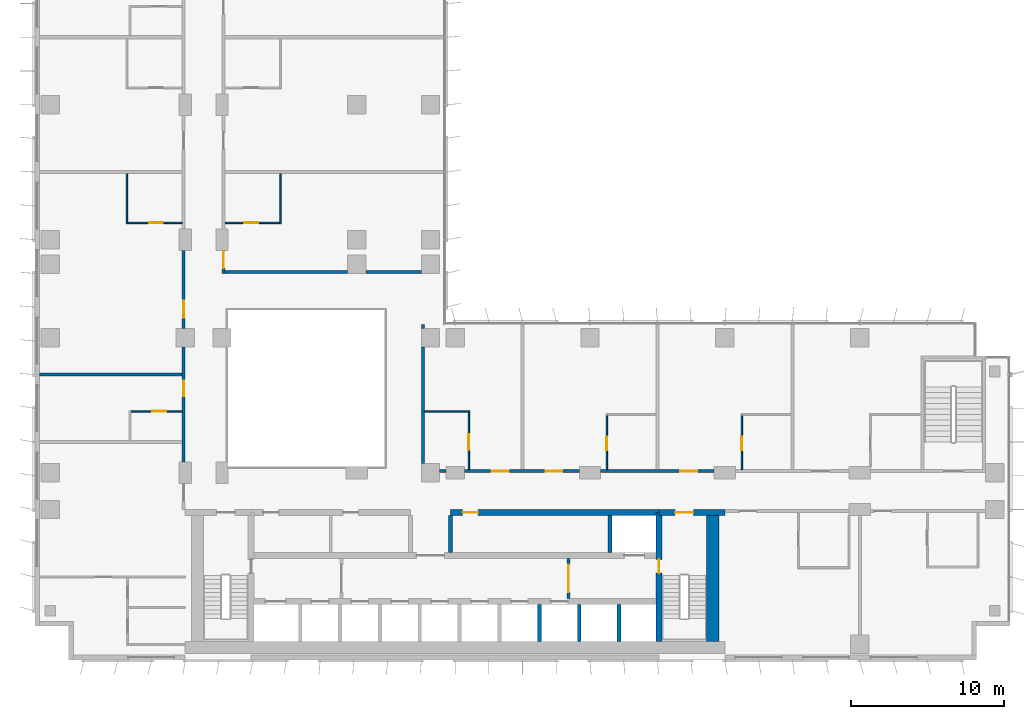
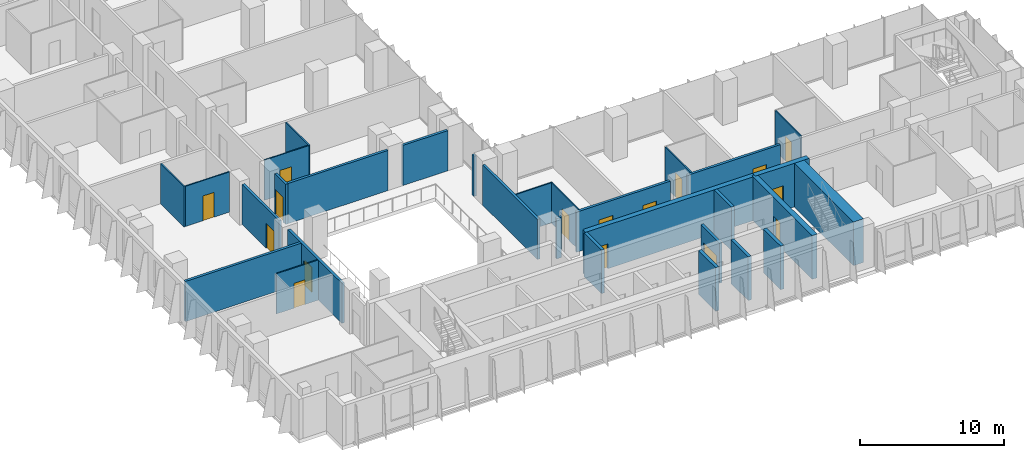
# One storey, part 14 of 22: 30 walls, 16 doors, 16 openings.
"""IFC4 building model written with IfcOpenShell, lengths in metres."""

from ifc_helpers import new_model, si_unit, direction, frame, frame_2d, origin, place, context, subcontext, project, spatial, rectangle, extrude, material, layer, layer_set, type_object, element, fill, save


model = new_model("IFC4")

# Units and contexts
model_context = context("Model", 3, precision=1e-05, world=origin(), true_north=direction((0.0, 1.0)))
body_context = subcontext(model_context, "Body", "Model", "MODEL_VIEW")
ifc_project = project(units=[si_unit("LENGTHUNIT", "METRE"), si_unit("AREAUNIT", "SQUARE_METRE"), si_unit("VOLUMEUNIT", "CUBIC_METRE"), si_unit("PLANEANGLEUNIT", "RADIAN"), si_unit("MASSUNIT", "GRAM", prefix="KILO")], contexts=[model_context])

# Site, building, storey
site_placement = place(None, origin())
site = spatial("IfcSite", under=ifc_project, at=site_placement, CompositionType="ELEMENT")
building_placement = place(site_placement, origin())
building = spatial("IfcBuilding", under=site, at=building_placement, Name="Kemantara Hotel Tower", CompositionType="ELEMENT")
storey_placement = place(building_placement, frame((0.0, 0.0, 87.10009765625)))
storey = spatial("IfcBuildingStorey", under=building, at=storey_placement, Name="L20", CompositionType="ELEMENT", Elevation=87.10009765625)

# Walls
ifc_material_1 = material(Name="Concrete fc 70 MPa", Category="concrete")
ifc_layer_1 = layer(ifc_material_1, 0.25)
ifc_layer_set_1 = layer_set([ifc_layer_1], Name="Concrete fc 70 MPa")
wall_type_1 = type_object("IfcWallType", Name="CORE WALL 250 FC70", PredefinedType="SHEAR", material=ifc_layer_set_1)
for number, where, z_axis, x_axis, name in (
    (1, (32.89990234375, 1.199951171875, 0.0), (0.0, 0.0, 1.0), (0.0, 1.0, 0.0), "CORE WALL CW-DS32.9"),
    (2, (35.5, 1.199951171875, 0.0), (0.0, 0.0, 1.0), (0.0, 1.0, 0.0), "CORE WALL CW-DS35.5"),
    (3, (38.10009765625, 1.199951171875, 0.0), (0.0, 0.0, 1.0), (0.0, 1.0, 0.0), "CORE WALL CW-DS38.1"),
):
    element("IfcWall", number, at=place(storey_placement, frame(where, z_axis=z_axis, x_axis=x_axis)), inside=storey, type_object=wall_type_1, Name=name, PredefinedType="SHEAR", context=body_context, shape_type="SweptSolid", body=[
        extrude(rectangle(XDim=2.400146484375, YDim=0.25, at=frame_2d((1.2001953125, 0.0))), origin(), (0.0, 0.0, 1.0), 3.699951171875),
    ])
for number, where, z_axis, x_axis, name in (
    (4, (27.10009765625, 7.0, 0.0), (0.0, 0.0, 1.0), (0.0, 1.0, 0.0), "CORE WALL CW-DN27.1"),
    (5, (37.5, 7.0, 0.0), (0.0, 0.0, 1.0), (0.0, 1.0, 0.0), "CORE WALL CW-DN37.5"),
):
    element("IfcWall", number, at=place(storey_placement, frame(where, z_axis=z_axis, x_axis=x_axis)), inside=storey, type_object=wall_type_1, Name=name, PredefinedType="SHEAR", context=body_context, shape_type="SweptSolid", body=[
        extrude(rectangle(XDim=2.39990234375, YDim=0.25, at=frame_2d((1.199951171875, 0.0))), origin(), (0.0, 0.0, 1.0), 3.699951171875),
    ])

# Wall, opening, door
ifc_layer_2 = layer(ifc_material_1, 0.39990234375)
ifc_layer_set_2 = layer_set([ifc_layer_2], Name="Concrete fc 70 MPa")
wall_type_2 = type_object("IfcWallType", Name="CORE WALL 400 FC70", PredefinedType="SHEAR", material=ifc_layer_set_2)
wall_1_placement = place(storey_placement, frame((40.699951171875, 9.60009765625, 0.0), z_axis=(0.0, 0.0, 1.0), x_axis=(1.0, 0.0, 0.0)))
wall_1 = element("IfcWall", 6, at=wall_1_placement, inside=storey, type_object=wall_type_2, Name="CORE WALL CW-N2", PredefinedType="SHEAR", context=body_context, shape_type="SweptSolid", body=[
    extrude(rectangle(XDim=4.300048828125, YDim=0.39990234375, at=frame_2d((2.14990234375, 0.0))), origin(), (0.0, 0.0, 1.0), 3.699951171875),
])
opening_1_placement = place(wall_1_placement, frame((1.050048828125, 0.0, 0.0)))
opening_1 = element("IfcOpeningElement", 7, at=opening_1_placement, cuts=wall_1, Name="Opening C15-ST2-C", PredefinedType="OPENING", context=body_context, shape_type="SweptSolid", body=[
    extrude(rectangle(XDim=1.199951171875, YDim=2.10009765625, at=frame_2d((0.60009765625, 1.050048828125))), frame((0.0, 0.2099609375, 0.0), z_axis=(0.0, -1.0, 0.0), x_axis=(1.0, 0.0, 0.0)), (0.0, 0.0, 1.0), 0.419921875),
])
ifc_material_2 = material(Name="Steel fire door", Category="steel")
door_type_1 = type_object("IfcDoorType", Name="Fire door FD90 1200 x 2100", OperationType="NOTDEFINED", PredefinedType="DOOR", material=ifc_material_2)
door_1_placement = place(opening_1_placement, frame((1.199951171875, 0.0, 0.0), z_axis=(0.0, 0.0, 1.0), x_axis=(-1.0, 0.0, 0.0)))
door_1 = element("IfcDoor", 8, at=door_1_placement, inside=storey, type_object=door_type_1, Name="Stair ST2 door to corridor", OperationType="SINGLE_SWING_RIGHT", OverallHeight=2.10009765625, OverallWidth=1.199951171875, PredefinedType="DOOR", context=body_context, shape_type="SweptSolid", body=[
    extrude(rectangle(XDim=1.199951171875, YDim=2.10009765625, at=frame_2d((0.60009765625, 1.050048828125))), frame((0.0, 0.02490234375, 0.0), z_axis=(0.0, -1.0, 0.0), x_axis=(1.0, 0.0, 0.0)), (0.0, 0.0, 1.0), 0.050048828125),
])
fill(opening_1, door_1)

wall_2_placement = place(storey_placement, frame((27.10009765625, 9.60009765625, 0.0), z_axis=(0.0, 0.0, 1.0), x_axis=(1.0, 0.0, 0.0)))
wall_2 = element("IfcWall", 9, at=wall_2_placement, inside=storey, type_object=wall_type_2, Name="CORE WALL CW-NN2", PredefinedType="SHEAR", context=body_context, shape_type="SweptSolid", body=[
    extrude(rectangle(XDim=13.599853515625, YDim=0.39990234375, at=frame_2d((6.7998046875, 0.0))), origin(), (0.0, 0.0, 1.0), 3.699951171875),
])
opening_2_placement = place(wall_2_placement, frame((0.800048828125, 0.0, 0.0)))
opening_2 = element("IfcOpeningElement", 10, at=opening_2_placement, cuts=wall_2, Name="Opening C15-R-NE1", PredefinedType="OPENING", context=body_context, shape_type="SweptSolid", body=[
    extrude(rectangle(XDim=1.0, YDim=2.10009765625, at=frame_2d((0.5, 1.050048828125))), frame((0.0, 0.2099609375, 0.0), z_axis=(0.0, -1.0, 0.0), x_axis=(1.0, 0.0, 0.0)), (0.0, 0.0, 1.0), 0.419921875),
])
door_type_2 = type_object("IfcDoorType", Name="Fire door FD30S 1000 x 2100", OperationType="NOTDEFINED", PredefinedType="DOOR", material=ifc_material_2)
door_2_placement = place(opening_2_placement, frame((1.0, 0.0, 0.0), z_axis=(0.0, 0.0, 1.0), x_axis=(-1.0, 0.0, 0.0)))
door_2 = element("IfcDoor", 11, at=door_2_placement, inside=storey, type_object=door_type_2, Name="Luggage Store door", OperationType="SINGLE_SWING_RIGHT", OverallHeight=2.10009765625, OverallWidth=1.0, PredefinedType="DOOR", context=body_context, shape_type="SweptSolid", body=[
    extrude(rectangle(XDim=1.0, YDim=2.10009765625, at=frame_2d((0.5, 1.050048828125))), frame((0.0, 0.02490234375, 0.0), z_axis=(0.0, -1.0, 0.0), x_axis=(1.0, 0.0, 0.0)), (0.0, 0.0, 1.0), 0.050048828125),
])
fill(opening_2, door_2)

wall_3_placement = place(storey_placement, frame((40.699951171875, 1.199951171875, 0.0), z_axis=(0.0, 0.0, 1.0), x_axis=(0.0, 1.0, 0.0)))
wall_3 = element("IfcWall", 12, at=wall_3_placement, inside=storey, type_object=wall_type_2, Name="CORE WALL CW-ST2W", PredefinedType="SHEAR", context=body_context, shape_type="SweptSolid", body=[
    extrude(rectangle(XDim=8.400146484375, YDim=0.39990234375, at=frame_2d((4.2001953125, 0.0))), origin(), (0.0, 0.0, 1.0), 3.699951171875),
])
opening_3_placement = place(wall_3_placement, frame((4.449951171875, 0.0, 0.0)))
opening_3 = element("IfcOpeningElement", 13, at=opening_3_placement, cuts=wall_3, Name="Opening C15-ST2-F", PredefinedType="OPENING", context=body_context, shape_type="SweptSolid", body=[
    extrude(rectangle(XDim=0.89990234375, YDim=2.10009765625, at=frame_2d((0.449951171875, 1.050048828125))), frame((0.0, 0.2099609375, 0.0), z_axis=(0.0, -1.0, 0.0), x_axis=(1.0, 0.0, 0.0)), (0.0, 0.0, 1.0), 0.419921875),
])
door_type_3 = type_object("IfcDoorType", Name="Fire door FD90 900 x 2100", OperationType="NOTDEFINED", PredefinedType="DOOR", material=ifc_material_2)
door_3_placement = place(opening_3_placement, frame((0.89990234375, 0.0, 0.0), z_axis=(0.0, 0.0, 1.0), x_axis=(-1.0, 0.0, 0.0)))
door_3 = element("IfcDoor", 14, at=door_3_placement, inside=storey, type_object=door_type_3, Name="Stair ST2 door to firefighting lobby", OperationType="SINGLE_SWING_LEFT", OverallHeight=2.10009765625, OverallWidth=0.89990234375, PredefinedType="DOOR", context=body_context, shape_type="SweptSolid", body=[
    extrude(rectangle(XDim=0.89990234375, YDim=2.10009765625, at=frame_2d((0.449951171875, 1.050048828125))), frame((0.0, 0.02490234375, 0.0), z_axis=(0.0, -1.0, 0.0), x_axis=(1.0, 0.0, 0.0)), (0.0, 0.0, 1.0), 0.050048828125),
])
fill(opening_3, door_3)

# Walls
ifc_layer_3 = layer(ifc_material_1, 0.800048828125)
ifc_layer_set_3 = layer_set([ifc_layer_3], Name="Concrete fc 70 MPa")
wall_type_3 = type_object("IfcWallType", Name="CORE WALL 800 FC70", PredefinedType="SHEAR", material=ifc_layer_set_3)
wall_4_placement = place(storey_placement, frame((44.199951171875, 1.199951171875, 0.0), z_axis=(0.0, 0.0, 1.0), x_axis=(0.0, 1.0, 0.0)))
element("IfcWall", 15, at=wall_4_placement, inside=storey, type_object=wall_type_3, Name="CORE WALL CW-E", PredefinedType="SHEAR", context=body_context, shape_type="SweptSolid", body=[
    extrude(rectangle(XDim=8.60009765625, YDim=0.800048828125, at=frame_2d((4.300048828125, 0.0))), origin(), (0.0, 0.0, 1.0), 3.699951171875),
])
ifc_material_3 = material(Name="Gypsum board partition, steel studs and mineral wool, 200 mm", Category="steel")
ifc_layer_4 = layer(ifc_material_3, 0.199951171875)
ifc_layer_set_4 = layer_set([ifc_layer_4], Name="Gypsum board partition, steel studs and mineral wool, 200 mm")
wall_type_4 = type_object("IfcWallType", Name="CORRIDOR WALL 200", PredefinedType="PARTITIONING", material=ifc_layer_set_4)
wall_5_placement = place(storey_placement, frame((26.400146484375, 12.300048828125, 0.0), z_axis=(0.0, 0.0, 1.0), x_axis=(1.0, 0.0, 0.0)))
element("IfcWall", 16, at=wall_5_placement, inside=storey, type_object=wall_type_4, Name="CORRIDOR WALL 200 004", PredefinedType="PARTITIONING", context=body_context, shape_type="SweptSolid", body=[
    extrude(rectangle(XDim=0.399658203125, YDim=0.199951171875, at=frame_2d((0.19970703125, 0.0))), origin(), (0.0, 0.0, 1.0), 3.39990234375),
])

# Wall, openings, doors
wall_6_placement = place(storey_placement, frame((28.0, 12.300048828125, 0.0), z_axis=(0.0, 0.0, 1.0), x_axis=(1.0, 0.0, 0.0)))
wall_6 = element("IfcWall", 17, at=wall_6_placement, inside=storey, type_object=wall_type_4, Name="CORRIDOR WALL 200 005", PredefinedType="PARTITIONING", context=body_context, shape_type="SweptSolid", body=[
    extrude(rectangle(XDim=7.5, YDim=0.199951171875, at=frame_2d((3.75, 0.0))), origin(), (0.0, 0.0, 1.0), 3.39990234375),
])
opening_4_placement = place(wall_6_placement, frame((1.7998046875, 0.0, 0.0)))
opening_4 = element("IfcOpeningElement", 18, at=opening_4_placement, cuts=wall_6, Name="Opening F07-005", PredefinedType="OPENING", context=body_context, shape_type="SweptSolid", body=[
    extrude(rectangle(XDim=1.10009765625, YDim=2.10009765625, at=frame_2d((0.550048828125, 1.050048828125))), frame((0.0, 0.10986328125, 0.0), z_axis=(0.0, -1.0, 0.0), x_axis=(1.0, 0.0, 0.0)), (0.0, 0.0, 1.0), 0.219970703125),
])
opening_5_placement = place(wall_6_placement, frame((5.2998046875, 0.0, 0.0)))
opening_5 = element("IfcOpeningElement", 19, at=opening_5_placement, cuts=wall_6, Name="Opening F07-007", PredefinedType="OPENING", context=body_context, shape_type="SweptSolid", body=[
    extrude(rectangle(XDim=1.10009765625, YDim=2.10009765625, at=frame_2d((0.550048828125, 1.050048828125))), frame((0.0, 0.10986328125, 0.0), z_axis=(0.0, -1.0, 0.0), x_axis=(1.0, 0.0, 0.0)), (0.0, 0.0, 1.0), 0.219970703125),
])
ifc_material_4 = material(Name="Hardwood veneer door leaf with steel frame", Category="steel")
door_type_4 = type_object("IfcDoorType", Name="GUEST ROOM DOOR 1100 X 2100 FD30S", OperationType="NOTDEFINED", PredefinedType="DOOR", material=ifc_material_4)
door_4_placement = place(opening_4_placement, origin())
door_4 = element("IfcDoor", 20, at=door_4_placement, inside=storey, type_object=door_type_4, Name="GUEST ROOM DOOR F07-005", OperationType="SINGLE_SWING_RIGHT", OverallHeight=2.10009765625, OverallWidth=1.10009765625, PredefinedType="DOOR", context=body_context, shape_type="SweptSolid", body=[
    extrude(rectangle(XDim=1.10009765625, YDim=2.10009765625, at=frame_2d((0.550048828125, 1.050048828125))), frame((0.0, 0.02490234375, 0.0), z_axis=(0.0, -1.0, 0.0), x_axis=(1.0, 0.0, 0.0)), (0.0, 0.0, 1.0), 0.050048828125),
])
fill(opening_4, door_4)
door_type_5 = type_object("IfcDoorType", Name="SUITE ENTRANCE DOOR 1100 X 2100 FD30S", OperationType="NOTDEFINED", PredefinedType="DOOR", material=ifc_material_4)
door_5_placement = place(opening_5_placement, origin())
door_5 = element("IfcDoor", 21, at=door_5_placement, inside=storey, type_object=door_type_5, Name="SUITE ENTRANCE DOOR F07-007", OperationType="SINGLE_SWING_LEFT", OverallHeight=2.10009765625, OverallWidth=1.10009765625, PredefinedType="DOOR", context=body_context, shape_type="SweptSolid", body=[
    extrude(rectangle(XDim=1.10009765625, YDim=2.10009765625, at=frame_2d((0.550048828125, 1.050048828125))), frame((0.0, 0.02490234375, 0.0), z_axis=(0.0, -1.0, 0.0), x_axis=(1.0, 0.0, 0.0)), (0.0, 0.0, 1.0), 0.050048828125),
])
fill(opening_5, door_5)

# Wall, opening, door
wall_7_placement = place(storey_placement, frame((36.900146484375, 12.300048828125, 0.0), z_axis=(0.0, 0.0, 1.0), x_axis=(1.0, 0.0, 0.0)))
wall_7 = element("IfcWall", 22, at=wall_7_placement, inside=storey, type_object=wall_type_4, Name="CORRIDOR WALL 200 006", PredefinedType="PARTITIONING", context=body_context, shape_type="SweptSolid", body=[
    extrude(rectangle(XDim=7.399658203125, YDim=0.199951171875, at=frame_2d((3.69970703125, 0.0))), origin(), (0.0, 0.0, 1.0), 3.39990234375),
])
opening_6_placement = place(wall_7_placement, frame((5.199951171875, 0.0, 0.0)))
opening_6 = element("IfcOpeningElement", 23, at=opening_6_placement, cuts=wall_7, Name="Opening F07-009", PredefinedType="OPENING", context=body_context, shape_type="SweptSolid", body=[
    extrude(rectangle(XDim=1.10009765625, YDim=2.10009765625, at=frame_2d((0.550048828125, 1.050048828125))), frame((0.0, 0.10986328125, 0.0), z_axis=(0.0, -1.0, 0.0), x_axis=(1.0, 0.0, 0.0)), (0.0, 0.0, 1.0), 0.219970703125),
])
door_6_placement = place(opening_6_placement, origin())
door_6 = element("IfcDoor", 24, at=door_6_placement, inside=storey, type_object=door_type_5, Name="SUITE ENTRANCE DOOR F07-009", OperationType="SINGLE_SWING_LEFT", OverallHeight=2.10009765625, OverallWidth=1.10009765625, PredefinedType="DOOR", context=body_context, shape_type="SweptSolid", body=[
    extrude(rectangle(XDim=1.10009765625, YDim=2.10009765625, at=frame_2d((0.550048828125, 1.050048828125))), frame((0.0, 0.02490234375, 0.0), z_axis=(0.0, -1.0, 0.0), x_axis=(1.0, 0.0, 0.0)), (0.0, 0.0, 1.0), 0.050048828125),
])
fill(opening_6, door_6)

wall_8_placement = place(storey_placement, frame((9.699951171875, 12.900146484375, 0.0), z_axis=(0.0, 0.0, 1.0), x_axis=(0.0, 1.0, 0.0)))
wall_8 = element("IfcWall", 25, at=wall_8_placement, inside=storey, type_object=wall_type_4, Name="CORRIDOR WALL 200 015", PredefinedType="PARTITIONING", context=body_context, shape_type="SweptSolid", body=[
    extrude(rectangle(XDim=7.499755859375, YDim=0.199951171875, at=frame_2d((3.75, 0.0))), origin(), (0.0, 0.0, 1.0), 3.39990234375),
])
opening_7_placement = place(wall_8_placement, frame((4.2998046875, 0.0, 0.0)))
opening_7 = element("IfcOpeningElement", 26, at=opening_7_placement, cuts=wall_8, Name="Opening F07-017", PredefinedType="OPENING", context=body_context, shape_type="SweptSolid", body=[
    extrude(rectangle(XDim=1.0, YDim=2.10009765625, at=frame_2d((0.5, 1.050048828125))), frame((0.0, 0.10986328125, 0.0), z_axis=(0.0, -1.0, 0.0), x_axis=(1.0, 0.0, 0.0)), (0.0, 0.0, 1.0), 0.219970703125),
])
door_type_6 = type_object("IfcDoorType", Name="GUEST ROOM DOOR 1000 X 2100 FD30S", OperationType="NOTDEFINED", PredefinedType="DOOR", material=ifc_material_4)
door_7_placement = place(opening_7_placement, origin())
door_7 = element("IfcDoor", 27, at=door_7_placement, inside=storey, type_object=door_type_6, Name="GUEST ROOM DOOR F07-017", OperationType="SINGLE_SWING_RIGHT", OverallHeight=2.10009765625, OverallWidth=1.0, PredefinedType="DOOR", context=body_context, shape_type="SweptSolid", body=[
    extrude(rectangle(XDim=1.0, YDim=2.10009765625, at=frame_2d((0.5, 1.050048828125))), frame((0.0, 0.02490234375, 0.0), z_axis=(0.0, -1.0, 0.0), x_axis=(1.0, 0.0, 0.0)), (0.0, 0.0, 1.0), 0.050048828125),
])
fill(opening_7, door_7)

wall_9_placement = place(storey_placement, frame((9.699951171875, 21.60009765625, 0.0), z_axis=(0.0, 0.0, 1.0), x_axis=(0.0, 1.0, 0.0)))
wall_9 = element("IfcWall", 28, at=wall_9_placement, inside=storey, type_object=wall_type_4, Name="CORRIDOR WALL 200 016", PredefinedType="PARTITIONING", context=body_context, shape_type="SweptSolid", body=[
    extrude(rectangle(XDim=5.099853515625, YDim=0.199951171875, at=frame_2d((2.5498046875, 0.0))), origin(), (0.0, 0.0, 1.0), 3.39990234375),
])
opening_8_placement = place(wall_9_placement, frame((0.699951171875, 0.0, 0.0)))
opening_8 = element("IfcOpeningElement", 29, at=opening_8_placement, cuts=wall_9, Name="Opening F07-019", PredefinedType="OPENING", context=body_context, shape_type="SweptSolid", body=[
    extrude(rectangle(XDim=1.10009765625, YDim=2.10009765625, at=frame_2d((0.550048828125, 1.050048828125))), frame((0.0, 0.10986328125, 0.0), z_axis=(0.0, -1.0, 0.0), x_axis=(1.0, 0.0, 0.0)), (0.0, 0.0, 1.0), 0.219970703125),
])
door_8_placement = place(opening_8_placement, origin())
door_8 = element("IfcDoor", 30, at=door_8_placement, inside=storey, type_object=door_type_5, Name="SUITE ENTRANCE DOOR F07-019", OperationType="SINGLE_SWING_LEFT", OverallHeight=2.10009765625, OverallWidth=1.10009765625, PredefinedType="DOOR", context=body_context, shape_type="SweptSolid", body=[
    extrude(rectangle(XDim=1.10009765625, YDim=2.10009765625, at=frame_2d((0.550048828125, 1.050048828125))), frame((0.0, 0.02490234375, 0.0), z_axis=(0.0, -1.0, 0.0), x_axis=(1.0, 0.0, 0.0)), (0.0, 0.0, 1.0), 0.050048828125),
])
fill(opening_8, door_8)

wall_10_placement = place(storey_placement, frame((12.300048828125, 26.699951171875, 0.0), z_axis=(0.0, 0.0, 1.0), x_axis=(0.0, -1.0, 0.0)))
wall_10 = element("IfcWall", 31, at=wall_10_placement, inside=storey, type_object=wall_type_4, Name="CORRIDOR WALL 200 031", PredefinedType="PARTITIONING", context=body_context, shape_type="SweptSolid", body=[
    extrude(rectangle(XDim=1.5, YDim=0.199951171875, at=frame_2d((0.75, 0.0))), origin(), (0.0, 0.0, 1.0), 3.39990234375),
])
opening_9_placement = place(wall_10_placement, frame((0.0498046875, 0.0, 0.0)))
opening_9 = element("IfcOpeningElement", 32, at=opening_9_placement, cuts=wall_10, Name="Opening F07-033", PredefinedType="OPENING", context=body_context, shape_type="SweptSolid", body=[
    extrude(rectangle(XDim=1.10009765625, YDim=2.10009765625, at=frame_2d((0.550048828125, 1.050048828125))), frame((0.0, 0.10986328125, 0.0), z_axis=(0.0, -1.0, 0.0), x_axis=(1.0, 0.0, 0.0)), (0.0, 0.0, 1.0), 0.219970703125),
])
door_9_placement = place(opening_9_placement, origin())
door_9 = element("IfcDoor", 33, at=door_9_placement, inside=storey, type_object=door_type_5, Name="SUITE ENTRANCE DOOR F07-033", OperationType="SINGLE_SWING_RIGHT", OverallHeight=2.10009765625, OverallWidth=1.10009765625, PredefinedType="DOOR", context=body_context, shape_type="SweptSolid", body=[
    extrude(rectangle(XDim=1.10009765625, YDim=2.10009765625, at=frame_2d((0.550048828125, 1.050048828125))), frame((0.0, 0.02490234375, 0.0), z_axis=(0.0, -1.0, 0.0), x_axis=(1.0, 0.0, 0.0)), (0.0, 0.0, 1.0), 0.050048828125),
])
fill(opening_9, door_9)

# Walls
ifc_layer_5 = layer(ifc_material_3, 0.199951171875)
ifc_layer_set_5 = layer_set([ifc_layer_5], Name="Gypsum board partition, steel studs and mineral wool, 200 mm")
wall_type_5 = type_object("IfcWallType", Name="GUEST ROOM PARTY WALL 200", PredefinedType="PARTITIONING", material=ifc_layer_set_5)
wall_11_placement = place(storey_placement, frame((25.300048828125, 12.800048828125, 0.0), z_axis=(0.0, 0.0, 1.0), x_axis=(0.0, 1.0, 0.0)))
element("IfcWall", 34, at=wall_11_placement, inside=storey, type_object=wall_type_5, Name="GUEST ROOM PARTY WALL 200 009", PredefinedType="PARTITIONING", context=body_context, shape_type="SweptSolid", body=[
    extrude(rectangle(XDim=7.599853515625, YDim=0.199951171875, at=frame_2d((3.7998046875, 0.0))), origin(), (0.0, 0.0, 1.0), 3.39990234375),
])
wall_12_placement = place(storey_placement, frame((25.300048828125, 21.60009765625, 0.0), z_axis=(0.0, 0.0, 1.0), x_axis=(0.0, 1.0, 0.0)))
element("IfcWall", 35, at=wall_12_placement, inside=storey, type_object=wall_type_5, Name="GUEST ROOM PARTY WALL 200 010", PredefinedType="PARTITIONING", context=body_context, shape_type="SweptSolid", body=[
    extrude(rectangle(XDim=0.27001953125, YDim=0.199951171875, at=frame_2d((0.135009765625, 0.0))), origin(), (0.0, 0.0, 1.0), 3.39990234375),
])
wall_13_placement = place(storey_placement, frame((0.31005859375, 18.60009765625, 0.0), z_axis=(0.0, 0.0, 1.0), x_axis=(1.0, 0.0, 0.0)))
element("IfcWall", 36, at=wall_13_placement, inside=storey, type_object=wall_type_5, Name="GUEST ROOM PARTY WALL 200 024", PredefinedType="PARTITIONING", context=body_context, shape_type="SweptSolid", body=[
    extrude(rectangle(XDim=9.2900390625, YDim=0.199951171875, at=frame_2d((4.64501953125, 0.0))), origin(), (0.0, 0.0, 1.0), 3.39990234375),
])
wall_14_placement = place(storey_placement, frame((12.39990234375, 25.300048828125, 0.0), z_axis=(0.0, 0.0, 1.0), x_axis=(1.0, 0.0, 0.0)))
element("IfcWall", 37, at=wall_14_placement, inside=storey, type_object=wall_type_5, Name="GUEST ROOM PARTY WALL 200 038", PredefinedType="PARTITIONING", context=body_context, shape_type="SweptSolid", body=[
    extrude(rectangle(XDim=8.0, YDim=0.199951171875, at=frame_2d((4.0, 0.0))), origin(), (0.0, 0.0, 1.0), 3.39990234375),
])
wall_15_placement = place(storey_placement, frame((21.60009765625, 25.300048828125, 0.0), z_axis=(0.0, 0.0, 1.0), x_axis=(1.0, 0.0, 0.0)))
element("IfcWall", 38, at=wall_15_placement, inside=storey, type_object=wall_type_5, Name="GUEST ROOM PARTY WALL 200 039", PredefinedType="PARTITIONING", context=body_context, shape_type="SweptSolid", body=[
    extrude(rectangle(XDim=3.599853515625, YDim=0.199951171875, at=frame_2d((1.7998046875, 0.0))), origin(), (0.0, 0.0, 1.0), 3.39990234375),
])

# Wall, opening, door
ifc_material_5 = material(Name="Gypsum board shaft wall")
ifc_layer_6 = layer(ifc_material_5, 0.199951171875)
ifc_layer_set_6 = layer_set([ifc_layer_6], Name="Gypsum board shaft wall")
wall_type_6 = type_object("IfcWallType", Name="Gypsum board shaft wall 200 mm", PredefinedType="PARTITIONING", material=ifc_layer_set_6)
wall_16_placement = place(storey_placement, frame((34.800048828125, 4.0, 0.0), z_axis=(0.0, 0.0, 1.0), x_axis=(0.0, 1.0, 0.0)))
wall_16 = element("IfcWall", 39, at=wall_16_placement, inside=storey, type_object=wall_type_6, Name="Firefighting lobby partition east", PredefinedType="PARTITIONING", context=body_context, shape_type="SweptSolid", body=[
    extrude(rectangle(XDim=2.60009765625, YDim=0.199951171875, at=frame_2d((1.300048828125, 0.0))), origin(), (0.0, 0.0, 1.0), 3.39990234375),
])
opening_10_placement = place(wall_16_placement, frame((0.39990234375, 0.0, 0.0)))
opening_10 = element("IfcOpeningElement", 40, at=opening_10_placement, cuts=wall_16, Name="Opening C15-FFE", PredefinedType="OPENING", context=body_context, shape_type="SweptSolid", body=[
    extrude(rectangle(XDim=1.800048828125, YDim=2.10009765625, at=frame_2d((0.89990234375, 1.050048828125))), frame((0.0, 0.10986328125, 0.0), z_axis=(0.0, -1.0, 0.0), x_axis=(1.0, 0.0, 0.0)), (0.0, 0.0, 1.0), 0.219970703125),
])
door_type_7 = type_object("IfcDoorType", Name="Fire door pair FD60 1800 x 2100", OperationType="DOUBLE_DOOR_SINGLE_SWING", PredefinedType="DOOR", material=ifc_material_2)
door_10_placement = place(opening_10_placement, frame((1.800048828125, 0.0, 0.0), z_axis=(0.0, 0.0, 1.0), x_axis=(-1.0, 0.0, 0.0)))
door_10 = element("IfcDoor", 41, at=door_10_placement, inside=storey, type_object=door_type_7, Name="Firefighting lobby door east", OperationType="DOUBLE_DOOR_SINGLE_SWING", OverallHeight=2.10009765625, OverallWidth=1.800048828125, PredefinedType="DOOR", context=body_context, shape_type="SweptSolid", body=[
    extrude(rectangle(XDim=1.800048828125, YDim=2.10009765625, at=frame_2d((0.89990234375, 1.050048828125))), frame((0.0, 0.02490234375, 0.0), z_axis=(0.0, -1.0, 0.0), x_axis=(1.0, 0.0, 0.0)), (0.0, 0.0, 1.0), 0.050048828125),
])
fill(opening_10, door_10)

ifc_material_6 = material(Name="Gypsum board partition on steel studs, 100 mm", Category="steel")
ifc_layer_7 = layer(ifc_material_6, 0.10009765625)
ifc_layer_set_7 = layer_set([ifc_layer_7], Name="Gypsum board partition on steel studs, 100 mm")
wall_type_7 = type_object("IfcWallType", Name="ROOM PARTITION 100", PredefinedType="PARTITIONING", material=ifc_layer_set_7)
wall_17_placement = place(storey_placement, frame((9.60009765625, 16.199951171875, 0.0), z_axis=(0.0, 0.0, 1.0), x_axis=(-1.0, 0.0, 0.0)))
wall_17 = element("IfcWall", 42, at=wall_17_placement, inside=storey, type_object=wall_type_7, Name="ROOM PARTITION 100 051", PredefinedType="PARTITIONING", context=body_context, shape_type="SweptSolid", body=[
    extrude(rectangle(XDim=3.35009765625, YDim=0.10009765625, at=frame_2d((1.675048828125, 0.0))), origin(), (0.0, 0.0, 1.0), 3.39990234375),
])
opening_11_placement = place(wall_17_placement, frame((1.050048828125, 0.0, 0.0)))
opening_11 = element("IfcOpeningElement", 43, at=opening_11_placement, cuts=wall_17, Name="Opening F07-018", PredefinedType="OPENING", context=body_context, shape_type="SweptSolid", body=[
    extrude(rectangle(XDim=0.89990234375, YDim=2.10009765625, at=frame_2d((0.449951171875, 1.050048828125))), frame((0.0, 0.06005859375, 0.0), z_axis=(0.0, -1.0, 0.0), x_axis=(1.0, 0.0, 0.0)), (0.0, 0.0, 1.0), 0.1201171875),
])
door_type_8 = type_object("IfcDoorType", Name="BATHROOM DOOR 900 X 2100", OperationType="NOTDEFINED", PredefinedType="DOOR", material=ifc_material_4)
door_11_placement = place(opening_11_placement, origin())
door_11 = element("IfcDoor", 44, at=door_11_placement, inside=storey, type_object=door_type_8, Name="BATHROOM DOOR F07-018", OperationType="SINGLE_SWING_LEFT", OverallHeight=2.10009765625, OverallWidth=0.89990234375, PredefinedType="DOOR", context=body_context, shape_type="SweptSolid", body=[
    extrude(rectangle(XDim=0.89990234375, YDim=2.10009765625, at=frame_2d((0.449951171875, 1.050048828125))), frame((0.0, 0.02490234375, 0.0), z_axis=(0.0, -1.0, 0.0), x_axis=(1.0, 0.0, 0.0)), (0.0, 0.0, 1.0), 0.050048828125),
])
fill(opening_11, door_11)

# Wall
wall_18_placement = place(storey_placement, frame((25.39990234375, 16.199951171875, 0.0), z_axis=(0.0, 0.0, 1.0), x_axis=(1.0, 0.0, 0.0)))
element("IfcWall", 45, at=wall_18_placement, inside=storey, type_object=wall_type_7, Name="ROOM PARTITION 100 052", PredefinedType="PARTITIONING", context=body_context, shape_type="SweptSolid", body=[
    extrude(rectangle(XDim=2.9501953125, YDim=0.10009765625, at=frame_2d((1.47509765625, 0.0))), origin(), (0.0, 0.0, 1.0), 3.39990234375),
])

# Wall, opening, door
wall_19_placement = place(storey_placement, frame((28.300048828125, 12.39990234375, 0.0), z_axis=(0.0, 0.0, 1.0), x_axis=(0.0, 1.0, 0.0)))
wall_19 = element("IfcWall", 46, at=wall_19_placement, inside=storey, type_object=wall_type_7, Name="ROOM PARTITION 100 053", PredefinedType="PARTITIONING", context=body_context, shape_type="SweptSolid", body=[
    extrude(rectangle(XDim=3.75, YDim=0.10009765625, at=frame_2d((1.875, 0.0))), origin(), (0.0, 0.0, 1.0), 3.39990234375),
])
opening_12_placement = place(wall_19_placement, frame((1.300048828125, 0.0, 0.0)))
opening_12 = element("IfcOpeningElement", 47, at=opening_12_placement, cuts=wall_19, Name="Opening F07-006", PredefinedType="OPENING", context=body_context, shape_type="SweptSolid", body=[
    extrude(rectangle(XDim=1.0, YDim=2.10009765625, at=frame_2d((0.5, 1.050048828125))), frame((0.0, 0.06005859375, 0.0), z_axis=(0.0, -1.0, 0.0), x_axis=(1.0, 0.0, 0.0)), (0.0, 0.0, 1.0), 0.1201171875),
])
door_type_9 = type_object("IfcDoorType", Name="BATHROOM DOOR 1000 X 2100", OperationType="NOTDEFINED", PredefinedType="DOOR", material=ifc_material_4)
door_12_placement = place(opening_12_placement, origin())
door_12 = element("IfcDoor", 48, at=door_12_placement, inside=storey, type_object=door_type_9, Name="BATHROOM DOOR F07-006", OperationType="SINGLE_SWING_LEFT", OverallHeight=2.10009765625, OverallWidth=1.0, PredefinedType="DOOR", context=body_context, shape_type="SweptSolid", body=[
    extrude(rectangle(XDim=1.0, YDim=2.10009765625, at=frame_2d((0.5, 1.050048828125))), frame((0.0, 0.02490234375, 0.0), z_axis=(0.0, -1.0, 0.0), x_axis=(1.0, 0.0, 0.0)), (0.0, 0.0, 1.0), 0.050048828125),
])
fill(opening_12, door_12)

wall_20_placement = place(storey_placement, frame((37.300048828125, 15.949951171875, 0.0), z_axis=(0.0, 0.0, 1.0), x_axis=(0.0, -1.0, 0.0)))
wall_20 = element("IfcWall", 49, at=wall_20_placement, inside=storey, type_object=wall_type_7, Name="ROOM PARTITION 100 057", PredefinedType="PARTITIONING", context=body_context, shape_type="SweptSolid", body=[
    extrude(rectangle(XDim=3.550048828125, YDim=0.10009765625, at=frame_2d((1.77490234375, 0.0))), origin(), (0.0, 0.0, 1.0), 3.39990234375),
])
opening_13_placement = place(wall_20_placement, frame((1.39990234375, 0.0, 0.0)))
opening_13 = element("IfcOpeningElement", 50, at=opening_13_placement, cuts=wall_20, Name="Opening F07-008", PredefinedType="OPENING", context=body_context, shape_type="SweptSolid", body=[
    extrude(rectangle(XDim=0.89990234375, YDim=2.10009765625, at=frame_2d((0.449951171875, 1.050048828125))), frame((0.0, 0.06005859375, 0.0), z_axis=(0.0, -1.0, 0.0), x_axis=(1.0, 0.0, 0.0)), (0.0, 0.0, 1.0), 0.1201171875),
])
door_13_placement = place(opening_13_placement, origin())
door_13 = element("IfcDoor", 51, at=door_13_placement, inside=storey, type_object=door_type_8, Name="BATHROOM DOOR F07-008", OperationType="SINGLE_SWING_RIGHT", OverallHeight=2.10009765625, OverallWidth=0.89990234375, PredefinedType="DOOR", context=body_context, shape_type="SweptSolid", body=[
    extrude(rectangle(XDim=0.89990234375, YDim=2.10009765625, at=frame_2d((0.449951171875, 1.050048828125))), frame((0.0, 0.02490234375, 0.0), z_axis=(0.0, -1.0, 0.0), x_axis=(1.0, 0.0, 0.0)), (0.0, 0.0, 1.0), 0.050048828125),
])
fill(opening_13, door_13)

wall_21_placement = place(storey_placement, frame((46.10009765625, 15.949951171875, 0.0), z_axis=(0.0, 0.0, 1.0), x_axis=(0.0, -1.0, 0.0)))
wall_21 = element("IfcWall", 52, at=wall_21_placement, inside=storey, type_object=wall_type_7, Name="ROOM PARTITION 100 058", PredefinedType="PARTITIONING", context=body_context, shape_type="SweptSolid", body=[
    extrude(rectangle(XDim=3.550048828125, YDim=0.10009765625, at=frame_2d((1.77490234375, 0.0))), origin(), (0.0, 0.0, 1.0), 3.39990234375),
])
opening_14_placement = place(wall_21_placement, frame((1.39990234375, 0.0, 0.0)))
opening_14 = element("IfcOpeningElement", 53, at=opening_14_placement, cuts=wall_21, Name="Opening F07-010", PredefinedType="OPENING", context=body_context, shape_type="SweptSolid", body=[
    extrude(rectangle(XDim=0.89990234375, YDim=2.10009765625, at=frame_2d((0.449951171875, 1.050048828125))), frame((0.0, 0.06005859375, 0.0), z_axis=(0.0, -1.0, 0.0), x_axis=(1.0, 0.0, 0.0)), (0.0, 0.0, 1.0), 0.1201171875),
])
door_14_placement = place(opening_14_placement, origin())
door_14 = element("IfcDoor", 54, at=door_14_placement, inside=storey, type_object=door_type_8, Name="BATHROOM DOOR F07-010", OperationType="SINGLE_SWING_RIGHT", OverallHeight=2.10009765625, OverallWidth=0.89990234375, PredefinedType="DOOR", context=body_context, shape_type="SweptSolid", body=[
    extrude(rectangle(XDim=0.89990234375, YDim=2.10009765625, at=frame_2d((0.449951171875, 1.050048828125))), frame((0.0, 0.02490234375, 0.0), z_axis=(0.0, -1.0, 0.0), x_axis=(1.0, 0.0, 0.0)), (0.0, 0.0, 1.0), 0.050048828125),
])
fill(opening_14, door_14)

# Wall
wall_22_placement = place(storey_placement, frame((6.0, 28.449951171875, 0.0), z_axis=(0.0, 0.0, 1.0), x_axis=(0.0, 1.0, 0.0)))
element("IfcWall", 55, at=wall_22_placement, inside=storey, type_object=wall_type_7, Name="ROOM PARTITION 100 068", PredefinedType="PARTITIONING", context=body_context, shape_type="SweptSolid", body=[
    extrude(rectangle(XDim=3.25, YDim=0.10009765625, at=frame_2d((1.625, 0.0))), origin(), (0.0, 0.0, 1.0), 3.39990234375),
])

# Wall, opening, door
wall_23_placement = place(storey_placement, frame((6.050048828125, 28.5, 0.0), z_axis=(0.0, 0.0, 1.0), x_axis=(1.0, 0.0, 0.0)))
wall_23 = element("IfcWall", 56, at=wall_23_placement, inside=storey, type_object=wall_type_7, Name="ROOM PARTITION 100 072", PredefinedType="PARTITIONING", context=body_context, shape_type="SweptSolid", body=[
    extrude(rectangle(XDim=3.550048828125, YDim=0.10009765625, at=frame_2d((1.77490234375, 0.0))), origin(), (0.0, 0.0, 1.0), 3.39990234375),
])
opening_15_placement = place(wall_23_placement, frame((1.39990234375, 0.0, 0.0)))
opening_15 = element("IfcOpeningElement", 57, at=opening_15_placement, cuts=wall_23, Name="Opening F07-020", PredefinedType="OPENING", context=body_context, shape_type="SweptSolid", body=[
    extrude(rectangle(XDim=0.89990234375, YDim=2.10009765625, at=frame_2d((0.449951171875, 1.050048828125))), frame((0.0, 0.06005859375, 0.0), z_axis=(0.0, -1.0, 0.0), x_axis=(1.0, 0.0, 0.0)), (0.0, 0.0, 1.0), 0.1201171875),
])
door_15_placement = place(opening_15_placement, origin())
door_15 = element("IfcDoor", 58, at=door_15_placement, inside=storey, type_object=door_type_8, Name="BATHROOM DOOR F07-020", OperationType="SINGLE_SWING_RIGHT", OverallHeight=2.10009765625, OverallWidth=0.89990234375, PredefinedType="DOOR", context=body_context, shape_type="SweptSolid", body=[
    extrude(rectangle(XDim=0.89990234375, YDim=2.10009765625, at=frame_2d((0.449951171875, 1.050048828125))), frame((0.0, 0.02490234375, 0.0), z_axis=(0.0, -1.0, 0.0), x_axis=(1.0, 0.0, 0.0)), (0.0, 0.0, 1.0), 0.050048828125),
])
fill(opening_15, door_15)

wall_24_placement = place(storey_placement, frame((12.39990234375, 28.5, 0.0), z_axis=(0.0, 0.0, 1.0), x_axis=(1.0, 0.0, 0.0)))
wall_24 = element("IfcWall", 59, at=wall_24_placement, inside=storey, type_object=wall_type_7, Name="ROOM PARTITION 100 073", PredefinedType="PARTITIONING", context=body_context, shape_type="SweptSolid", body=[
    extrude(rectangle(XDim=3.550048828125, YDim=0.10009765625, at=frame_2d((1.77490234375, 0.0))), origin(), (0.0, 0.0, 1.0), 3.39990234375),
])
opening_16_placement = place(wall_24_placement, frame((1.25, 0.0, 0.0)))
opening_16 = element("IfcOpeningElement", 60, at=opening_16_placement, cuts=wall_24, Name="Opening F07-034", PredefinedType="OPENING", context=body_context, shape_type="SweptSolid", body=[
    extrude(rectangle(XDim=0.89990234375, YDim=2.10009765625, at=frame_2d((0.449951171875, 1.050048828125))), frame((0.0, 0.06005859375, 0.0), z_axis=(0.0, -1.0, 0.0), x_axis=(1.0, 0.0, 0.0)), (0.0, 0.0, 1.0), 0.1201171875),
])
door_16_placement = place(opening_16_placement, origin())
door_16 = element("IfcDoor", 61, at=door_16_placement, inside=storey, type_object=door_type_8, Name="BATHROOM DOOR F07-034", OperationType="SINGLE_SWING_LEFT", OverallHeight=2.10009765625, OverallWidth=0.89990234375, PredefinedType="DOOR", context=body_context, shape_type="SweptSolid", body=[
    extrude(rectangle(XDim=0.89990234375, YDim=2.10009765625, at=frame_2d((0.449951171875, 1.050048828125))), frame((0.0, 0.02490234375, 0.0), z_axis=(0.0, -1.0, 0.0), x_axis=(1.0, 0.0, 0.0)), (0.0, 0.0, 1.0), 0.050048828125),
])
fill(opening_16, door_16)

# Wall
wall_25_placement = place(storey_placement, frame((16.0, 28.449951171875, 0.0), z_axis=(0.0, 0.0, 1.0), x_axis=(0.0, 1.0, 0.0)))
element("IfcWall", 62, at=wall_25_placement, inside=storey, type_object=wall_type_7, Name="ROOM PARTITION 100 083", PredefinedType="PARTITIONING", context=body_context, shape_type="SweptSolid", body=[
    extrude(rectangle(XDim=3.25, YDim=0.10009765625, at=frame_2d((1.625, 0.0))), origin(), (0.0, 0.0, 1.0), 3.39990234375),
])

save(model, "model.ifc")
